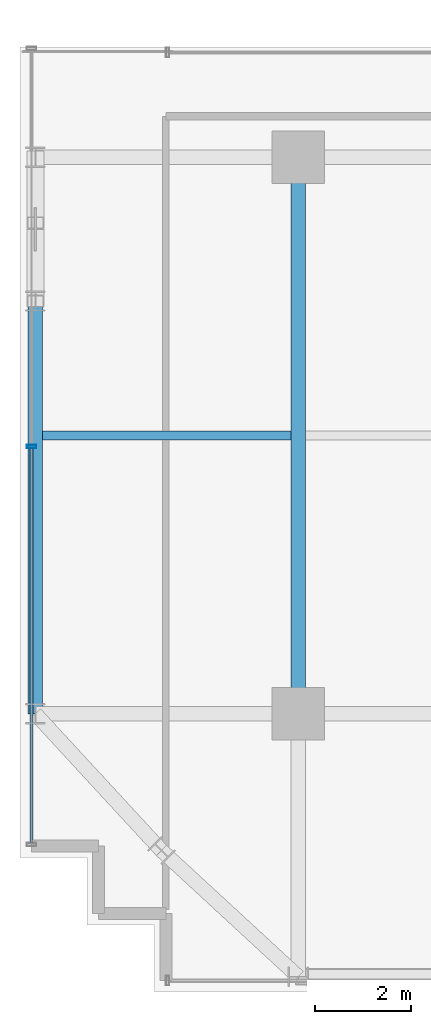
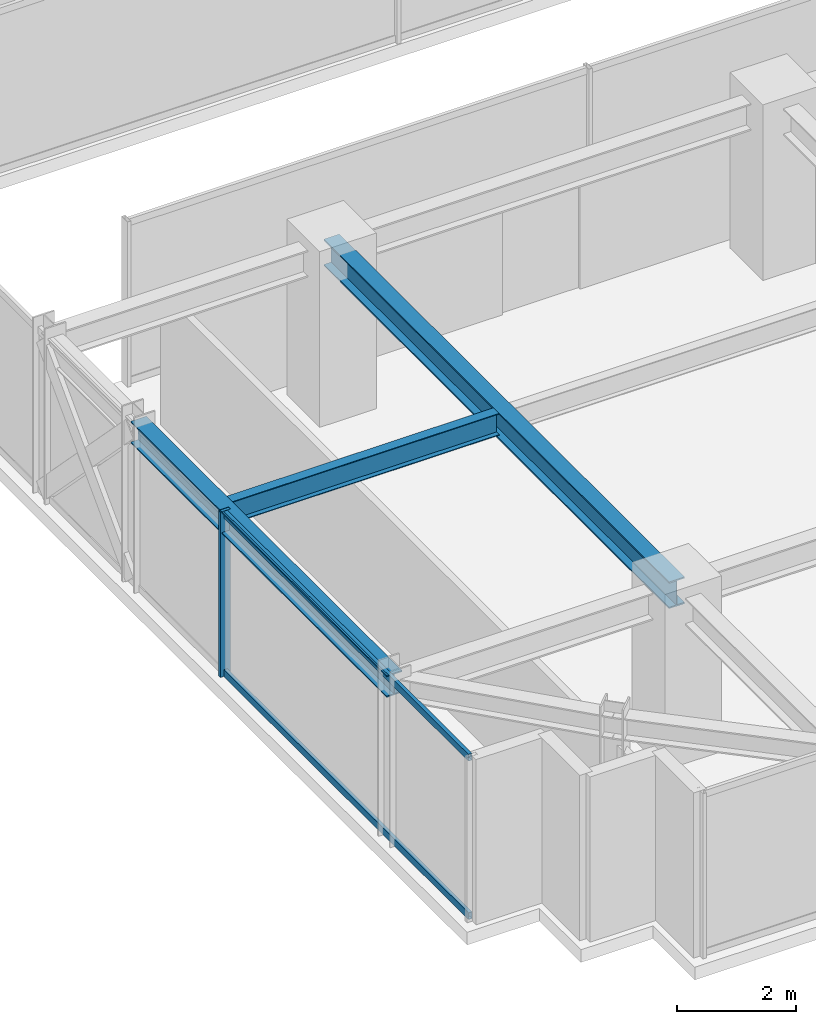
# One storey, part 3 of 38: 3 beams, 3 members, 1 element without a shape of its own.
"""IFC4 building model written with IfcOpenShell, lengths in metres."""

from ifc_helpers import new_model, si_unit, direction, frame, origin, origin_2d, place, context, subcontext, project, spatial, hollow_rectangle, i_section, extrude, source, transform, mapped, material, material_profile, profile_set, type_object, element, aggregate, save


model = new_model("IFC4")

# Units and contexts
model_context = context("Model", 3, precision=1e-05, world=origin(), true_north=direction((0.0, 1.0)))
body_context = subcontext(model_context, "Body", "Model", "MODEL_VIEW")
ifc_project = project(units=[si_unit("LENGTHUNIT", "METRE"), si_unit("AREAUNIT", "SQUARE_METRE"), si_unit("VOLUMEUNIT", "CUBIC_METRE"), si_unit("PLANEANGLEUNIT", "RADIAN"), si_unit("MASSUNIT", "GRAM", prefix="KILO")], contexts=[model_context])

# Site, building, storey
site_placement = place(None, origin())
site = spatial("IfcSite", under=ifc_project, at=site_placement, CompositionType="ELEMENT")
building_placement = place(site_placement, origin())
building = spatial("IfcBuilding", under=site, at=building_placement, Name="Nahalor Promenade Grand Hotel", CompositionType="ELEMENT")
storey_placement = place(building_placement, frame((0.0, 0.0, 163.60009765625)))
storey = spatial("IfcBuildingStorey", under=building, at=storey_placement, Name="L41", CompositionType="ELEMENT", Elevation=163.60009765625)

# Beams
ifc_material_1 = material(Name="Steel S355JR", Category="steel")
ifc_material_profile_1 = material_profile(ifc_material_1, i_section(OverallWidth=0.3, OverallDepth=0.55, WebThickness=0.015, FlangeThickness=0.029, at=origin_2d()), Name="HEB 550")
ifc_profile_set_1 = profile_set([ifc_material_profile_1], Name="Steel S355JR")
beam_type_1 = type_object("IfcBeamType", Name="Beam-Girder-HEB550", PredefinedType="BEAM", material=ifc_profile_set_1)
shared_shape_1 = source(origin(), body_context, "Body", "SweptSolid", [
    extrude(i_section(OverallWidth=0.3, OverallDepth=0.55, WebThickness=0.015, FlangeThickness=0.029, at=origin_2d()), origin(), (0.0, 0.0, 1.0), 11.60009765625),
])
beam_1_placement = place(storey_placement, frame((-17.0, -17.0, 3.114990234375), z_axis=(0.0, 1.0, 0.0), x_axis=(-1.0, 0.0, 0.0)))
element("IfcBeam", 1, at=beam_1_placement, inside=storey, type_object=beam_type_1, Name="BM-L41-GY-0-1", PredefinedType="BEAM", context=body_context, shape_type="MappedRepresentation", body=[
    mapped(shared_shape_1, transform((0.0, 0.0, 0.0), scale=1.0)),
])
ifc_material_profile_2 = material_profile(ifc_material_1, i_section(OverallWidth=0.19, OverallDepth=0.45, WebThickness=0.0094, FlangeThickness=0.0146, at=origin_2d()), Name="IPE 450")
ifc_profile_set_2 = profile_set([ifc_material_profile_2], Name="Steel S355JR")
beam_type_2 = type_object("IfcBeamType", Name="Beam-Joist-IPE450", PredefinedType="JOIST", material=ifc_profile_set_2)
shared_shape_2 = source(origin(), body_context, "Body", "SweptSolid", [
    extrude(i_section(OverallWidth=0.19, OverallDepth=0.45, WebThickness=0.0094, FlangeThickness=0.0146, at=origin_2d()), origin(), (0.0, 0.0, 1.0), 5.18017578125),
])
beam_2_placement = place(storey_placement, frame((-22.330078125, -11.199951171875, 3.164794921875), z_axis=(1.0, 0.0, 0.0), x_axis=(0.0, 1.0, 0.0)))
element("IfcBeam", 2, at=beam_2_placement, inside=storey, type_object=beam_type_2, Name="BM-L41-JSW-0-0", PredefinedType="JOIST", context=body_context, shape_type="MappedRepresentation", body=[
    mapped(shared_shape_2, transform((0.0, 0.0, 0.0), scale=1.0)),
])
ifc_material_profile_3 = material_profile(ifc_material_1, i_section(OverallWidth=0.3, OverallDepth=0.45, WebThickness=0.014, FlangeThickness=0.026, at=origin_2d()), Name="HEB 450")
ifc_profile_set_3 = profile_set([ifc_material_profile_3], Name="Steel S355JR")
beam_type_3 = type_object("IfcBeamType", Name="Beam-Spandrel-HEB450", PredefinedType="SPANDREL", material=ifc_profile_set_3)
shared_shape_3 = source(origin(), body_context, "Body", "SweptSolid", [
    extrude(i_section(OverallWidth=0.3, OverallDepth=0.45, WebThickness=0.014, FlangeThickness=0.026, at=origin_2d()), origin(), (0.0, 0.0, 1.0), 8.60009765625),
])
beam_3_placement = place(storey_placement, frame((-22.47998046875, -17.0, 3.164794921875), z_axis=(0.0, 1.0, 0.0), x_axis=(-1.0, 0.0, 0.0)))
element("IfcBeam", 3, at=beam_3_placement, inside=storey, type_object=beam_type_3, Name="BM-L41-SP-W-0", PredefinedType="SPANDREL", context=body_context, shape_type="MappedRepresentation", body=[
    mapped(shared_shape_3, transform((0.0, 0.0, 0.0), scale=1.0)),
])

# Curtain wall, members
ifc_material_2 = material(Name="Anodised Bronze Aluminium EN AW-6063 T6", Category="aluminium")
curtain_wall_type = type_object("IfcCurtainWallType", Name="CW3 Elliptical-Void Collar Unitised Curtain Wall", PredefinedType="USERDEFINED", material=ifc_material_2)
curtain_wall_placement = place(storey_placement, origin())
curtain_wall = element("IfcCurtainWall", 4, at=curtain_wall_placement, inside=storey, type_object=curtain_wall_type, Name="L41 Curtain Wall CW-L41-W-1", ObjectType="UNITISED_CURTAIN_WALL", PredefinedType="USERDEFINED")
ifc_material_profile_4 = material_profile(ifc_material_2, hollow_rectangle(XDim=0.07, YDim=0.2, WallThickness=0.005, at=origin_2d()), Name="CWM 70x200x5")
ifc_profile_set_4 = profile_set([ifc_material_profile_4], Name="Anodised Bronze Aluminium EN AW-6063 T6")
member_type_1 = type_object("IfcMemberType", Name="CWM3 Void Collar Mullion 70x200", PredefinedType="MULLION", material=ifc_profile_set_4)
shared_shape_4 = source(origin(), body_context, "Body", "SweptSolid", [
    extrude(hollow_rectangle(XDim=0.07, YDim=0.2, WallThickness=0.005, at=origin_2d()), origin(), (0.0, 0.0, 1.0), 3.389892578125),
])
member_1_placement = place(storey_placement, frame((-22.56005859375, -11.429931640625, 0.0), z_axis=(0.0, 0.0, 1.0), x_axis=(0.0, 1.0, 0.0)))
member_1 = element("IfcMember", 5, at=member_1_placement, type_object=member_type_1, Name="CW-L41-W-1 Mullion 1", PredefinedType="MULLION", context=body_context, shape_type="MappedRepresentation", body=[
    mapped(shared_shape_4, transform((0.0, 0.0, 0.0), scale=1.0)),
])
ifc_material_profile_5 = material_profile(ifc_material_2, hollow_rectangle(XDim=0.07, YDim=0.14, WallThickness=0.004, at=origin_2d()), Name="CWT 70x140x4")
ifc_profile_set_5 = profile_set([ifc_material_profile_5], Name="Anodised Bronze Aluminium EN AW-6063 T6")
member_type_2 = type_object("IfcMemberType", Name="CWT3 Void Collar Transom 70x140", PredefinedType="USERDEFINED", material=ifc_profile_set_5)
shared_shape_5 = source(origin(), body_context, "Body", "SweptSolid", [
    extrude(hollow_rectangle(XDim=0.07, YDim=0.14, WallThickness=0.004, at=origin_2d()), origin(), (0.0, 0.0, 1.0), 8.224853515625),
])
member_2_placement = place(storey_placement, frame((-22.56005859375, -19.68994140625, 0.06982421875), z_axis=(0.0, 1.0, 0.0), x_axis=(-1.0, 0.0, 0.0)))
member_2 = element("IfcMember", 6, at=member_2_placement, type_object=member_type_2, Name="CW-L41-W-1 Transom 0-0", ObjectType="TRANSOM", PredefinedType="USERDEFINED", context=body_context, shape_type="MappedRepresentation", body=[
    mapped(shared_shape_5, transform((0.0, 0.0, 0.0), scale=1.0)),
])
member_3_placement = place(storey_placement, frame((-22.56005859375, -19.68994140625, 3.31982421875), z_axis=(0.0, 1.0, 0.0), x_axis=(-1.0, 0.0, 0.0)))
member_3 = element("IfcMember", 7, at=member_3_placement, type_object=member_type_2, Name="CW-L41-W-1 Transom 0-1", ObjectType="TRANSOM", PredefinedType="USERDEFINED", context=body_context, shape_type="MappedRepresentation", body=[
    mapped(shared_shape_5, transform((0.0, 0.0, 0.0), scale=1.0)),
])
aggregate(curtain_wall, [member_1, member_2, member_3])

save(model, "model.ifc")
